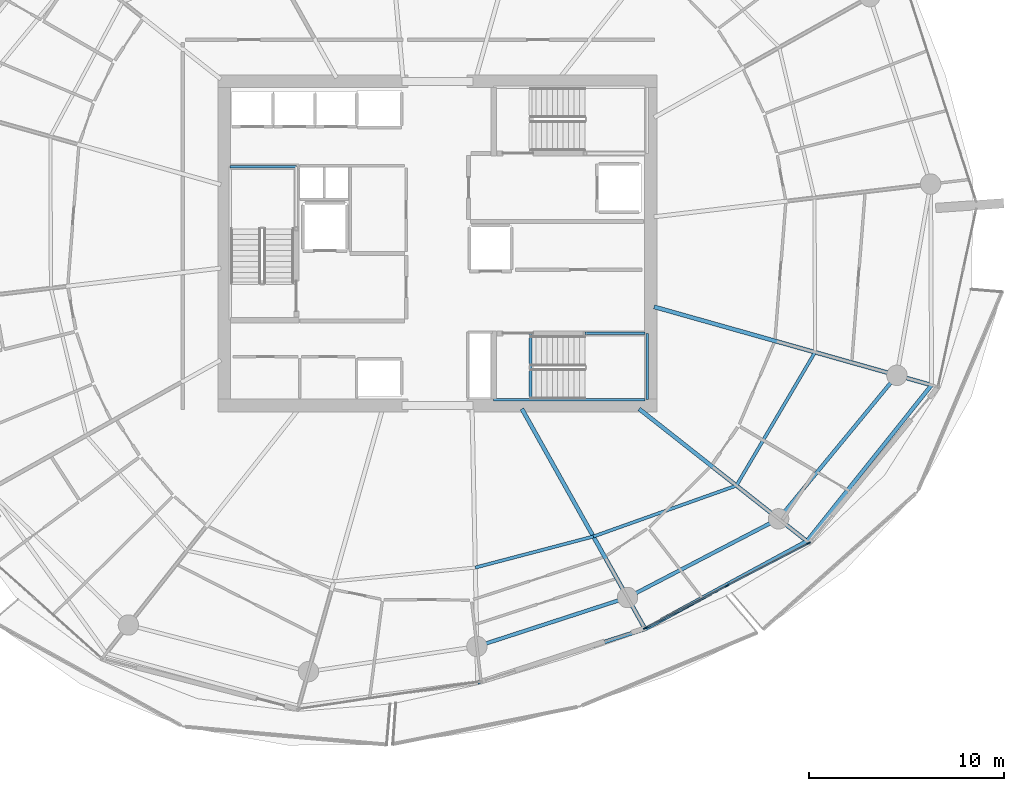
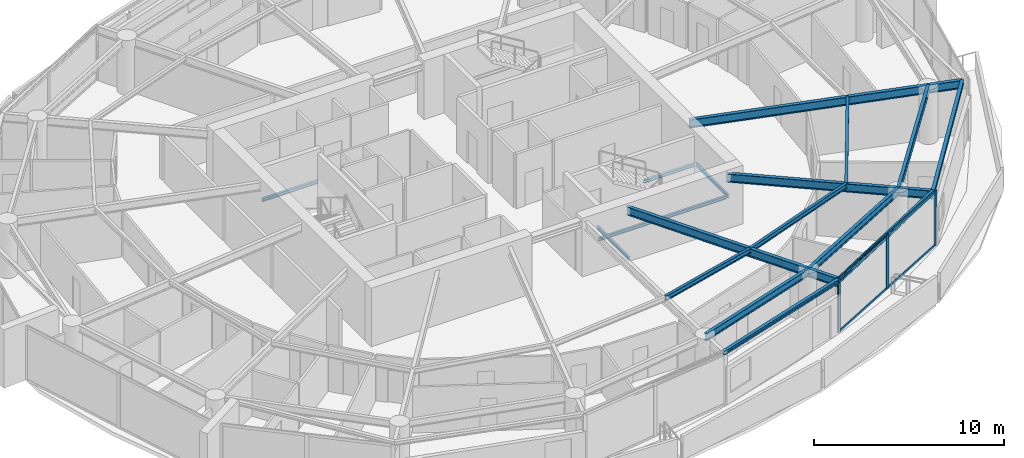
# One storey, part 6 of 21: 17 beams, 7 members, 1 element without a shape of its own.
"""IFC4 building model written with IfcOpenShell, lengths in metres."""

from ifc_helpers import new_model, si_unit, direction, frame, origin, origin_2d, place, context, subcontext, project, spatial, rectangle, i_section, extrude, material, layer, layer_set, material_profile, profile_set, type_object, element, aggregate, save


model = new_model("IFC4")

# Units and contexts
model_context = context("Model", 3, precision=1e-05, world=origin(), true_north=direction((0.0, 1.0)))
body_context = subcontext(model_context, "Body", "Model", "MODEL_VIEW")
ifc_project = project(units=[si_unit("LENGTHUNIT", "METRE"), si_unit("AREAUNIT", "SQUARE_METRE"), si_unit("VOLUMEUNIT", "CUBIC_METRE"), si_unit("PLANEANGLEUNIT", "RADIAN"), si_unit("MASSUNIT", "GRAM", prefix="KILO")], contexts=[model_context])

# Site, building, storey
site_placement = place(None, origin())
site = spatial("IfcSite", under=ifc_project, at=site_placement, CompositionType="ELEMENT")
building_placement = place(site_placement, origin())
building = spatial("IfcBuilding", under=site, at=building_placement, Name="Kazma Halo Residences", CompositionType="ELEMENT")
storey_placement = place(building_placement, frame((0.0, 0.0, 195.300048828125)))
storey = spatial("IfcBuildingStorey", under=building, at=storey_placement, Name="L49", CompositionType="ELEMENT", Elevation=195.300048828125)

# Beams
ifc_material_1 = material(Name="Steel S355", Category="steel")
ifc_material_profile_1 = material_profile(ifc_material_1, i_section(OverallWidth=0.201904296875, OverallDepth=0.2470703125, WebThickness=0.00732421875, FlangeThickness=0.010986328125, FilletRadius=0.011962890625, at=origin_2d()), Name="W250x49.1")
ifc_profile_set_1 = profile_set([ifc_material_profile_1], Name="Steel S355")
beam_type_1 = type_object("IfcBeamType", Name="BM-BAL-CANT", PredefinedType="BEAM", material=ifc_profile_set_1)
beam_1_placement = place(storey_placement, frame((50.48779296875, 19.45068359375, 3.37646484375), z_axis=(0.952538666424, 0.30441762263, 0.0), x_axis=(-0.30441762263, 0.952538666424, 0.0)))
element("IfcBeam", 1, at=beam_1_placement, inside=storey, type_object=beam_type_1, Name="L49 wave-balcony tie beam 12", PredefinedType="BEAM", context=body_context, shape_type="SweptSolid", body=[
    extrude(i_section(OverallWidth=0.201904296875, OverallDepth=0.2470703125, WebThickness=0.00732421875, FlangeThickness=0.010986328125, FilletRadius=0.011962890625, at=origin_2d()), origin(), (0.0, 0.0, 1.0), 9.029541015625),
])
beam_2_placement = place(storey_placement, frame((59.0888671875, 22.199462890625, 3.37646484375), z_axis=(0.878890557257, 0.477023467309, 0.0), x_axis=(-0.477023467309, 0.878890557257, 0.0)))
element("IfcBeam", 2, at=beam_2_placement, inside=storey, type_object=beam_type_1, Name="L49 wave-balcony tie beam 13", PredefinedType="BEAM", context=body_context, shape_type="SweptSolid", body=[
    extrude(i_section(OverallWidth=0.201904296875, OverallDepth=0.2470703125, WebThickness=0.00732421875, FlangeThickness=0.010986328125, FilletRadius=0.011962890625, at=origin_2d()), origin(), (0.0, 0.0, 1.0), 9.452880859375),
])
beam_3_placement = place(storey_placement, frame((67.39697265625, 26.708740234375, 3.37646484375), z_axis=(0.624195724924, 0.781268005864, 0.0), x_axis=(-0.781268005864, 0.624195724924, 0.0)))
element("IfcBeam", 3, at=beam_3_placement, inside=storey, type_object=beam_type_1, Name="L49 wave-balcony tie beam 14", PredefinedType="BEAM", context=body_context, shape_type="SweptSolid", body=[
    extrude(i_section(OverallWidth=0.201904296875, OverallDepth=0.2470703125, WebThickness=0.00732421875, FlangeThickness=0.010986328125, FilletRadius=0.011962890625, at=origin_2d()), origin(), (0.0, 0.0, 1.0), 10.258544921875),
])
ifc_material_profile_2 = material_profile(ifc_material_1, i_section(OverallWidth=0.208984375, OverallDepth=0.532958984375, WebThickness=0.01025390625, FlangeThickness=0.015625, FilletRadius=0.01611328125, at=origin_2d()), Name="W530x92")
ifc_profile_set_2 = profile_set([ifc_material_profile_2], Name="Steel S355")
beam_type_2 = type_object("IfcBeamType", Name="BM-RAD-W530", PredefinedType="BEAM", material=ifc_profile_set_2)
beam_4_placement = place(storey_placement, frame((52.76025390625, 33.5, 3.2333984375), z_axis=(0.488621736368, -0.872495729931, 0.0), x_axis=(0.872495729931, 0.488621736368, 0.0)))
element("IfcBeam", 4, at=beam_4_placement, inside=storey, type_object=beam_type_2, Name="L49 radial floor beam 13", PredefinedType="BEAM", context=body_context, shape_type="SweptSolid", body=[
    extrude(i_section(OverallWidth=0.208984375, OverallDepth=0.532958984375, WebThickness=0.01025390625, FlangeThickness=0.015625, FilletRadius=0.01611328125, at=origin_2d()), origin(), (0.0, 0.0, 1.0), 12.951904296875),
])
beam_5_placement = place(storey_placement, frame((58.7822265625, 33.5, 3.2333984375), z_axis=(0.785319521624, -0.619090662954, 0.0), x_axis=(0.619090662954, 0.785319521624, 0.0)))
element("IfcBeam", 5, at=beam_5_placement, inside=storey, type_object=beam_type_2, Name="L49 radial floor beam 14", PredefinedType="BEAM", context=body_context, shape_type="SweptSolid", body=[
    extrude(i_section(OverallWidth=0.208984375, OverallDepth=0.532958984375, WebThickness=0.01025390625, FlangeThickness=0.015625, FilletRadius=0.01611328125, at=origin_2d()), origin(), (0.0, 0.0, 1.0), 10.9697265625),
])
beam_6_placement = place(storey_placement, frame((59.550048828125, 38.74267578125, 3.2333984375), z_axis=(0.962449896911, -0.271459381741, 0.0), x_axis=(0.271459381741, 0.962449896911, 0.0)))
element("IfcBeam", 6, at=beam_6_placement, inside=storey, type_object=beam_type_2, Name="L49 radial floor beam 15", PredefinedType="BEAM", context=body_context, shape_type="SweptSolid", body=[
    extrude(i_section(OverallWidth=0.208984375, OverallDepth=0.532958984375, WebThickness=0.01025390625, FlangeThickness=0.015625, FilletRadius=0.01611328125, at=origin_2d()), origin(), (0.0, 0.0, 1.0), 14.80615234375),
])
ifc_material_profile_3 = material_profile(ifc_material_1, i_section(OverallWidth=0.1650390625, OverallDepth=0.31005859375, WebThickness=0.005859375, FlangeThickness=0.009765625, FilletRadius=0.011962890625, at=origin_2d()), Name="W310x38.7")
ifc_profile_set_3 = profile_set([ifc_material_profile_3], Name="Steel S355")
beam_type_3 = type_object("IfcBeamType", Name="BM-SEC-W310B", PredefinedType="JOIST", material=ifc_profile_set_3)
beam_7_placement = place(storey_placement, frame((50.366943359375, 25.3515625, 3.344970703125), z_axis=(0.967135034863, 0.254263297273, 0.0), x_axis=(-0.254263297273, 0.967135034863, 0.0)))
element("IfcBeam", 7, at=beam_7_placement, inside=storey, type_object=beam_type_3, Name="L49 circumferential floor joist 12", PredefinedType="JOIST", context=body_context, shape_type="SweptSolid", body=[
    extrude(i_section(OverallWidth=0.1650390625, OverallDepth=0.31005859375, WebThickness=0.005859375, FlangeThickness=0.009765625, FilletRadius=0.011962890625, at=origin_2d()), origin(), (0.0, 0.0, 1.0), 6.27001953125),
])
beam_8_placement = place(storey_placement, frame((56.430908203125, 26.94580078125, 3.344970703125), z_axis=(0.942107492186, 0.335311009612, 0.0), x_axis=(-0.335311009612, 0.942107492186, 0.0)))
element("IfcBeam", 8, at=beam_8_placement, inside=storey, type_object=beam_type_3, Name="L49 circumferential floor joist 13", PredefinedType="JOIST", context=body_context, shape_type="SweptSolid", body=[
    extrude(i_section(OverallWidth=0.1650390625, OverallDepth=0.31005859375, WebThickness=0.005859375, FlangeThickness=0.009765625, FilletRadius=0.011962890625, at=origin_2d()), origin(), (0.0, 0.0, 1.0), 7.79931640625),
])
beam_9_placement = place(storey_placement, frame((63.77880859375, 29.56103515625, 3.344970703125), z_axis=(0.507638586433, 0.861570116453, 0.0), x_axis=(-0.861570116453, 0.507638586433, 0.0)))
element("IfcBeam", 9, at=beam_9_placement, inside=storey, type_object=beam_type_3, Name="L49 circumferential floor joist 14", PredefinedType="JOIST", context=body_context, shape_type="SweptSolid", body=[
    extrude(i_section(OverallWidth=0.1650390625, OverallDepth=0.31005859375, WebThickness=0.005859375, FlangeThickness=0.009765625, FilletRadius=0.011962890625, at=origin_2d()), origin(), (0.0, 0.0, 1.0), 7.951171875),
])
ifc_material_profile_4 = material_profile(ifc_material_1, i_section(OverallWidth=0.18994140625, OverallDepth=0.45703125, WebThickness=0.009033203125, FlangeThickness=0.014404296875, FilletRadius=0.01611328125, at=origin_2d()), Name="W460x74")
ifc_profile_set_4 = profile_set([ifc_material_profile_4], Name="Steel S355")
beam_type_4 = type_object("IfcBeamType", Name="BM-SPN-W460", PredefinedType="BEAM", material=ifc_profile_set_4)
beam_10_placement = place(storey_placement, frame((50.449951171875, 21.30029296875, 3.271484375), z_axis=(0.951048627281, 0.30904127321, 0.0), x_axis=(-0.30904127321, 0.951048627281, 0.0)))
element("IfcBeam", 10, at=beam_10_placement, inside=storey, type_object=beam_type_4, Name="L49 perimeter ring beam 12", PredefinedType="BEAM", context=body_context, shape_type="SweptSolid", body=[
    extrude(i_section(OverallWidth=0.18994140625, OverallDepth=0.45703125, WebThickness=0.009033203125, FlangeThickness=0.014404296875, FilletRadius=0.01611328125, at=origin_2d()), origin(), (0.0, 0.0, 1.0), 8.133056640625),
])
beam_11_placement = place(storey_placement, frame((58.184814453125, 23.813720703125, 3.271484375), z_axis=(0.886961243394, 0.461843861838, 0.0), x_axis=(-0.461843861838, 0.886961243394, 0.0)))
element("IfcBeam", 11, at=beam_11_placement, inside=storey, type_object=beam_type_4, Name="L49 perimeter ring beam 13", PredefinedType="BEAM", context=body_context, shape_type="SweptSolid", body=[
    extrude(i_section(OverallWidth=0.18994140625, OverallDepth=0.45703125, WebThickness=0.009033203125, FlangeThickness=0.014404296875, FilletRadius=0.01611328125, at=origin_2d()), origin(), (0.0, 0.0, 1.0), 8.748046875),
])
beam_12_placement = place(storey_placement, frame((65.944091796875, 27.85400390625, 3.271484375), z_axis=(0.63601715545, 0.771674917289, 0.0), x_axis=(-0.771674917289, 0.63601715545, 0.0)))
element("IfcBeam", 12, at=beam_12_placement, inside=storey, type_object=beam_type_4, Name="L49 perimeter ring beam 14", PredefinedType="BEAM", context=body_context, shape_type="SweptSolid", body=[
    extrude(i_section(OverallWidth=0.18994140625, OverallDepth=0.45703125, WebThickness=0.009033203125, FlangeThickness=0.014404296875, FilletRadius=0.01611328125, at=origin_2d()), origin(), (0.0, 0.0, 1.0), 9.552734375),
])
ifc_material_profile_5 = material_profile(ifc_material_1, i_section(OverallWidth=0.133056640625, OverallDepth=0.20703125, WebThickness=0.005859375, FlangeThickness=0.00830078125, FilletRadius=0.010009765625, at=origin_2d()), Name="W200x26.6")
ifc_profile_set_5 = profile_set([ifc_material_profile_5], Name="Steel S355")
beam_type_5 = type_object("IfcBeamType", Name="BM-TRIM-W200", PredefinedType="BEAM", material=ifc_profile_set_5)
beam_13_placement = place(storey_placement, frame((53.199951171875, 34.0, -0.360107421875), z_axis=(0.0, 1.0, 0.0), x_axis=(-1.0, 0.0, 0.0)))
element("IfcBeam", 13, at=beam_13_placement, inside=storey, type_object=beam_type_5, Name="L49 ST-03 floor landing support beam", PredefinedType="BEAM", context=body_context, shape_type="SweptSolid", body=[
    extrude(i_section(OverallWidth=0.133056640625, OverallDepth=0.20703125, WebThickness=0.005859375, FlangeThickness=0.00830078125, FilletRadius=0.010009765625, at=origin_2d()), origin(), (0.0, 0.0, 1.0), 3.3798828125),
])
beam_14_placement = place(storey_placement, frame((37.780029296875, 45.93994140625, 1.570068359375), z_axis=(1.0, 0.0, 0.0), x_axis=(0.0, 1.0, 0.0)))
element("IfcBeam", 14, at=beam_14_placement, inside=storey, type_object=beam_type_5, Name="L49 ST-01 landing end wall ledger", PredefinedType="BEAM", context=body_context, shape_type="SweptSolid", body=[
    extrude(i_section(OverallWidth=0.133056640625, OverallDepth=0.20703125, WebThickness=0.005859375, FlangeThickness=0.00830078125, FilletRadius=0.010009765625, at=origin_2d()), origin(), (0.0, 0.0, 1.0), 3.39990234375),
])
beam_15_placement = place(storey_placement, frame((51.31005859375, 33.97998046875, 1.570068359375), z_axis=(1.0, 0.0, 0.0), x_axis=(0.0, 1.0, 0.0)))
element("IfcBeam", 15, at=beam_15_placement, inside=storey, type_object=beam_type_5, Name="L49 ST-03 landing south wall ledger", PredefinedType="BEAM", context=body_context, shape_type="SweptSolid", body=[
    extrude(i_section(OverallWidth=0.133056640625, OverallDepth=0.20703125, WebThickness=0.005859375, FlangeThickness=0.00830078125, FilletRadius=0.010009765625, at=origin_2d()), origin(), (0.0, 0.0, 1.0), 7.760009765625),
])
beam_16_placement = place(storey_placement, frame((56.0, 37.3798828125, 1.570068359375), z_axis=(1.0, 0.0, 0.0), x_axis=(0.0, 1.0, 0.0)))
element("IfcBeam", 16, at=beam_16_placement, inside=storey, type_object=beam_type_5, Name="L49 ST-03 landing north wall ledger", PredefinedType="BEAM", context=body_context, shape_type="SweptSolid", body=[
    extrude(i_section(OverallWidth=0.133056640625, OverallDepth=0.20703125, WebThickness=0.005859375, FlangeThickness=0.00830078125, FilletRadius=0.010009765625, at=origin_2d()), origin(), (0.0, 0.0, 1.0), 3.070068359375),
])
beam_17_placement = place(storey_placement, frame((59.18994140625, 33.97998046875, 1.570068359375), z_axis=(0.0, 1.0, 0.0), x_axis=(-1.0, 0.0, 0.0)))
element("IfcBeam", 17, at=beam_17_placement, inside=storey, type_object=beam_type_5, Name="L49 ST-03 landing end wall ledger", PredefinedType="BEAM", context=body_context, shape_type="SweptSolid", body=[
    extrude(i_section(OverallWidth=0.133056640625, OverallDepth=0.20703125, WebThickness=0.005859375, FlangeThickness=0.00830078125, FilletRadius=0.010009765625, at=origin_2d()), origin(), (0.0, 0.0, 1.0), 3.39990234375),
])

# Curtain wall, members
ifc_material_2 = material(Name="Aluminium AW-6063 T6 and Triple-Silver Low-E Glass", Category="aluminium")
ifc_layer = layer(ifc_material_2, 0.219970703125)
ifc_layer_set = layer_set([ifc_layer], Name="Aluminium AW-6063 T6 and Triple-Silver Low-E Glass")
curtain_wall_type = type_object("IfcCurtainWallType", Name="CW-SYS-4", PredefinedType="NOTDEFINED", material=ifc_layer_set)
curtain_wall_placement = place(storey_placement, origin())
curtain_wall = element("IfcCurtainWall", 18, at=curtain_wall_placement, inside=storey, type_object=curtain_wall_type, Name="L49 unitised curtain wall B13", PredefinedType="NOTDEFINED")
ifc_material_3 = material(Name="Aluminium AW-6063 T6", Category="aluminium")
ifc_material_profile_6 = material_profile(ifc_material_3, rectangle(XDim=0.074951171875, YDim=0.219970703125, at=origin_2d()), Name="CWM-75x220")
ifc_profile_set_6 = profile_set([ifc_material_profile_6], Name="Aluminium AW-6063 T6")
member_type_1 = type_object("IfcMemberType", Name="CW-SYS-4-MUL", PredefinedType="MULLION", material=ifc_profile_set_6)
member_1_placement = place(storey_placement, frame((59.105712890625, 22.24609375, 0.0), z_axis=(0.0, 0.0, 1.0), x_axis=(-0.460873851097, 0.887465657575, 0.0)))
member_1 = element("IfcMember", 19, at=member_1_placement, type_object=member_type_1, Name="CWS-4 mullion 1", PredefinedType="MULLION", context=body_context, shape_type="SweptSolid", body=[
    extrude(rectangle(XDim=0.074951171875, YDim=0.219970703125, at=origin_2d()), origin(), (0.0, 0.0, 1.0), 3.5),
])
member_2_placement = place(storey_placement, frame((63.294677734375, 24.421630859375, 0.0), z_axis=(0.0, 0.0, 1.0), x_axis=(-0.460873851097, 0.887465657575, 0.0)))
member_2 = element("IfcMember", 20, at=member_2_placement, type_object=member_type_1, Name="CWS-4 mullion 2", PredefinedType="MULLION", context=body_context, shape_type="SweptSolid", body=[
    extrude(rectangle(XDim=0.074951171875, YDim=0.219970703125, at=origin_2d()), origin(), (0.0, 0.0, 1.0), 3.5),
])
member_3_placement = place(storey_placement, frame((67.4833984375, 26.596923828125, 0.0), z_axis=(0.0, 0.0, 1.0), x_axis=(-0.460873851097, 0.887465657575, 0.0)))
member_3 = element("IfcMember", 21, at=member_3_placement, type_object=member_type_1, Name="CWS-4 mullion 3", PredefinedType="MULLION", context=body_context, shape_type="SweptSolid", body=[
    extrude(rectangle(XDim=0.074951171875, YDim=0.219970703125, at=origin_2d()), origin(), (0.0, 0.0, 1.0), 3.5),
])
ifc_material_profile_7 = material_profile(ifc_material_3, rectangle(XDim=0.074951171875, YDim=0.1650390625, at=origin_2d()), Name="CWT-75x165")
ifc_profile_set_7 = profile_set([ifc_material_profile_7], Name="Aluminium AW-6063 T6")
member_type_2 = type_object("IfcMemberType", Name="CW-SYS-4-TRN", PredefinedType="USERDEFINED", material=ifc_profile_set_7)
member_4_placement = place(storey_placement, frame((59.138916015625, 22.263427734375, 0.037353515625), z_axis=(0.887457630519, 0.460889307789, 0.0), x_axis=(-0.460889307789, 0.887457630519, 0.0)))
member_4 = element("IfcMember", 22, at=member_4_placement, type_object=member_type_2, Name="CWS-4 transom 1.1", ObjectType="TRANSOM", PredefinedType="USERDEFINED", context=body_context, shape_type="SweptSolid", body=[
    extrude(rectangle(XDim=0.074951171875, YDim=0.1650390625, at=origin_2d()), origin(), (0.0, 0.0, 1.0), 4.64501953125),
])
member_5_placement = place(storey_placement, frame((59.138916015625, 22.263427734375, 3.46240234375), z_axis=(0.887457630519, 0.460889307789, 0.0), x_axis=(-0.460889307789, 0.887457630519, 0.0)))
member_5 = element("IfcMember", 23, at=member_5_placement, type_object=member_type_2, Name="CWS-4 transom 1.2", ObjectType="TRANSOM", PredefinedType="USERDEFINED", context=body_context, shape_type="SweptSolid", body=[
    extrude(rectangle(XDim=0.074951171875, YDim=0.1650390625, at=origin_2d()), origin(), (0.0, 0.0, 1.0), 4.64501953125),
])
member_6_placement = place(storey_placement, frame((63.327880859375, 24.438720703125, 0.037353515625), z_axis=(0.887457630519, 0.460889307789, 0.0), x_axis=(-0.460889307789, 0.887457630519, 0.0)))
member_6 = element("IfcMember", 24, at=member_6_placement, type_object=member_type_2, Name="CWS-4 transom 2.1", ObjectType="TRANSOM", PredefinedType="USERDEFINED", context=body_context, shape_type="SweptSolid", body=[
    extrude(rectangle(XDim=0.074951171875, YDim=0.1650390625, at=origin_2d()), origin(), (0.0, 0.0, 1.0), 4.64501953125),
])
member_7_placement = place(storey_placement, frame((63.327880859375, 24.438720703125, 3.46240234375), z_axis=(0.887457630519, 0.460889307789, 0.0), x_axis=(-0.460889307789, 0.887457630519, 0.0)))
member_7 = element("IfcMember", 25, at=member_7_placement, type_object=member_type_2, Name="CWS-4 transom 2.2", ObjectType="TRANSOM", PredefinedType="USERDEFINED", context=body_context, shape_type="SweptSolid", body=[
    extrude(rectangle(XDim=0.074951171875, YDim=0.1650390625, at=origin_2d()), origin(), (0.0, 0.0, 1.0), 4.64501953125),
])
aggregate(curtain_wall, [member_1, member_2, member_3, member_4, member_5, member_6, member_7])

save(model, "model.ifc")
